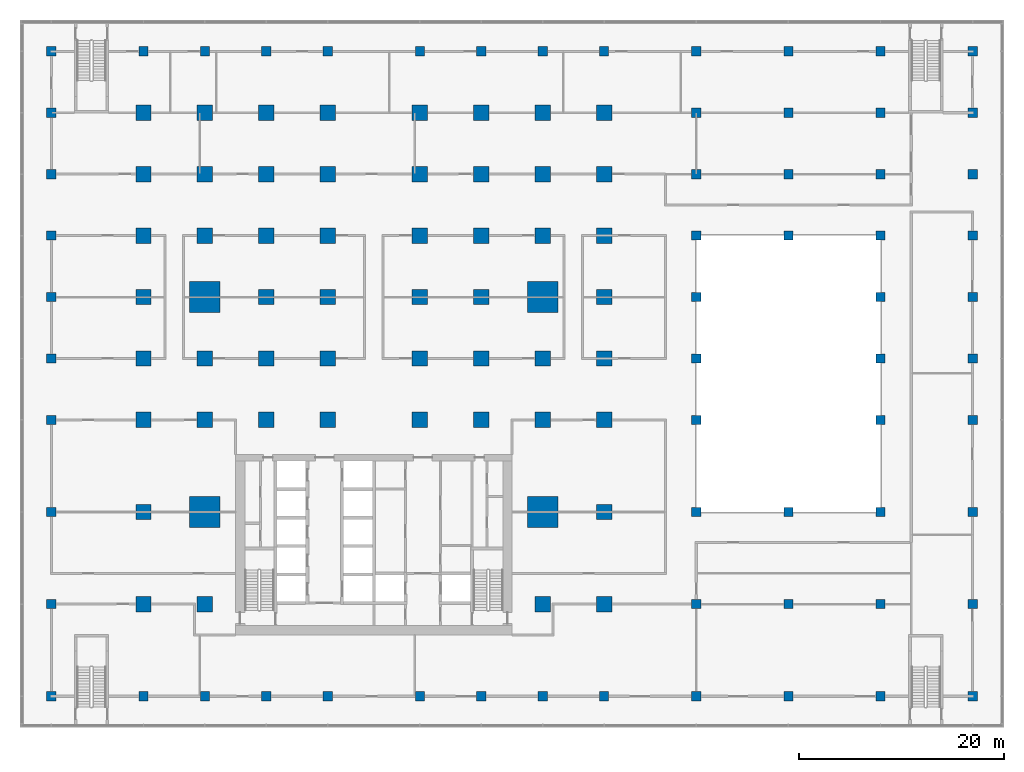
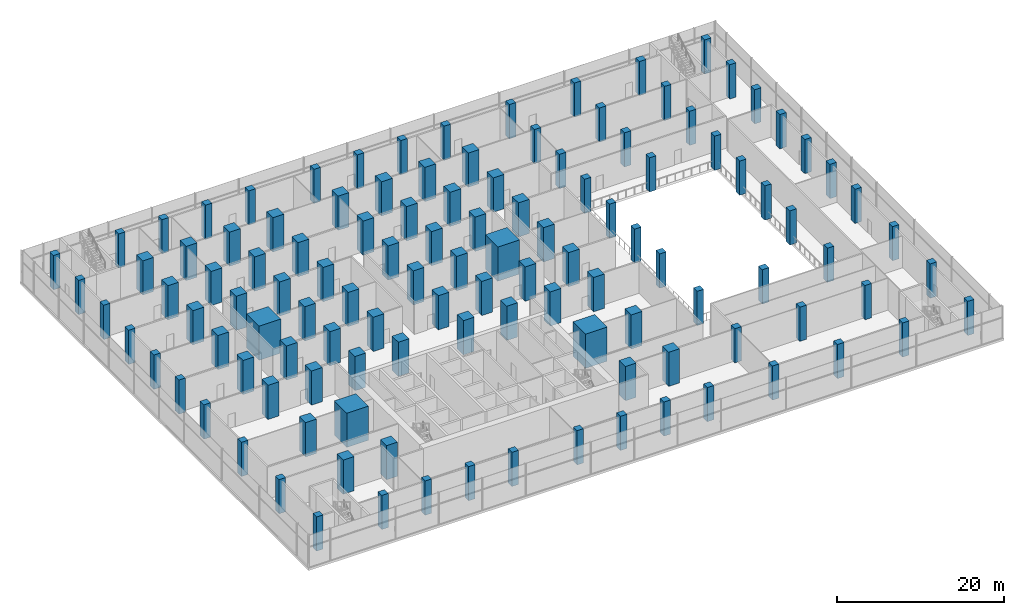
# One storey, part 1 of 22: 119 columns.
"""IFC4 building model written with IfcOpenShell, lengths in metres."""

from ifc_helpers import new_model, si_unit, direction, frame, origin, origin_2d, place, context, subcontext, project, spatial, rectangle, extrude, material, material_profile, profile_set, type_object, element, save


model = new_model("IFC4")

# Units and contexts
model_context = context("Model", 3, precision=1e-05, world=origin(), true_north=direction((0.0, 1.0)))
body_context = subcontext(model_context, "Body", "Model", "MODEL_VIEW")
ifc_project = project(units=[si_unit("LENGTHUNIT", "METRE"), si_unit("AREAUNIT", "SQUARE_METRE"), si_unit("VOLUMEUNIT", "CUBIC_METRE"), si_unit("PLANEANGLEUNIT", "RADIAN"), si_unit("MASSUNIT", "GRAM", prefix="KILO")], contexts=[model_context])

# Site, building, storey
site_placement = place(None, origin())
site = spatial("IfcSite", under=ifc_project, at=site_placement, CompositionType="ELEMENT")
building_placement = place(site_placement, origin())
building = spatial("IfcBuilding", under=site, at=building_placement, Name="Finial Court Residences", CompositionType="ELEMENT")
storey_placement = place(building_placement, frame((0.0, 0.0, 18.5)))
storey = spatial("IfcBuildingStorey", under=building, at=storey_placement, Name="L03", CompositionType="ELEMENT", Elevation=18.5)

# Columns
ifc_material_1 = material(Name="Concrete C80/95", Category="concrete")
ifc_material_profile_1 = material_profile(ifc_material_1, rectangle(XDim=1.5, YDim=1.5, at=origin_2d()), Name="1500x1500")
ifc_profile_set_1 = profile_set([ifc_material_profile_1], Name="Concrete C80/95")
column_type_1 = type_object("IfcColumnType", Name="Interior column 1500x1500 Concrete C80/95", PredefinedType="COLUMN", material=ifc_profile_set_1)
for number, where, z_axis, x_axis, name in (
    (1, (-22.5, -22.5, 0.0), (0.0, 0.0, 1.0), (1.0, 0.0, 0.0), "S:COL:L03:B2"),
    (2, (-22.5, -13.5, 0.0), (0.0, 0.0, 1.0), (1.0, 0.0, 0.0), "S:COL:L03:B3"),
    (3, (-22.5, -4.5, 0.0), (0.0, 0.0, 1.0), (1.0, 0.0, 0.0), "S:COL:L03:B4"),
    (4, (-22.5, 1.5, 0.0), (0.0, 0.0, 1.0), (1.0, 0.0, 0.0), "S:COL:L03:B5"),
    (5, (-22.5, 7.5, 0.0), (0.0, 0.0, 1.0), (1.0, 0.0, 0.0), "S:COL:L03:B6"),
    (6, (-22.5, 13.5, 0.0), (0.0, 0.0, 1.0), (1.0, 0.0, 0.0), "S:COL:L03:B7"),
    (7, (-22.5, 19.5, 0.0), (0.0, 0.0, 1.0), (1.0, 0.0, 0.0), "S:COL:L03:B8"),
    (8, (-22.5, 25.5, 0.0), (0.0, 0.0, 1.0), (1.0, 0.0, 0.0), "S:COL:L03:B9"),
    (9, (-16.5, -22.5, 0.0), (0.0, 0.0, 1.0), (1.0, 0.0, 0.0), "S:COL:L03:C2"),
    (10, (-16.5, -4.5, 0.0), (0.0, 0.0, 1.0), (1.0, 0.0, 0.0), "S:COL:L03:C4"),
    (11, (-16.5, 1.5, 0.0), (0.0, 0.0, 1.0), (1.0, 0.0, 0.0), "S:COL:L03:C5"),
    (12, (-16.5, 13.5, 0.0), (0.0, 0.0, 1.0), (1.0, 0.0, 0.0), "S:COL:L03:C7"),
    (13, (-16.5, 19.5, 0.0), (0.0, 0.0, 1.0), (1.0, 0.0, 0.0), "S:COL:L03:C8"),
    (14, (-16.5, 25.5, 0.0), (0.0, 0.0, 1.0), (1.0, 0.0, 0.0), "S:COL:L03:C9"),
    (15, (-10.5, -4.5, 0.0), (0.0, 0.0, 1.0), (1.0, 0.0, 0.0), "S:COL:L03:D4"),
    (16, (-10.5, 1.5, 0.0), (0.0, 0.0, 1.0), (1.0, 0.0, 0.0), "S:COL:L03:D5"),
    (17, (-10.5, 7.5, 0.0), (0.0, 0.0, 1.0), (1.0, 0.0, 0.0), "S:COL:L03:D6"),
    (18, (-10.5, 13.5, 0.0), (0.0, 0.0, 1.0), (1.0, 0.0, 0.0), "S:COL:L03:D7"),
    (19, (-10.5, 19.5, 0.0), (0.0, 0.0, 1.0), (1.0, 0.0, 0.0), "S:COL:L03:D8"),
    (20, (-10.5, 25.5, 0.0), (0.0, 0.0, 1.0), (1.0, 0.0, 0.0), "S:COL:L03:D9"),
    (21, (-4.5, -4.5, 0.0), (0.0, 0.0, 1.0), (1.0, 0.0, 0.0), "S:COL:L03:E4"),
    (22, (-4.5, 1.5, 0.0), (0.0, 0.0, 1.0), (1.0, 0.0, 0.0), "S:COL:L03:E5"),
    (23, (-4.5, 7.5, 0.0), (0.0, 0.0, 1.0), (1.0, 0.0, 0.0), "S:COL:L03:E6"),
    (24, (-4.5, 13.5, 0.0), (0.0, 0.0, 1.0), (1.0, 0.0, 0.0), "S:COL:L03:E7"),
    (25, (-4.5, 19.5, 0.0), (0.0, 0.0, 1.0), (1.0, 0.0, 0.0), "S:COL:L03:E8"),
    (26, (-4.5, 25.5, 0.0), (0.0, 0.0, 1.0), (1.0, 0.0, 0.0), "S:COL:L03:E9"),
    (27, (4.5, -4.5, 0.0), (0.0, 0.0, 1.0), (1.0, 0.0, 0.0), "S:COL:L03:F4"),
    (28, (4.5, 1.5, 0.0), (0.0, 0.0, 1.0), (1.0, 0.0, 0.0), "S:COL:L03:F5"),
    (29, (4.5, 7.5, 0.0), (0.0, 0.0, 1.0), (1.0, 0.0, 0.0), "S:COL:L03:F6"),
    (30, (4.5, 13.5, 0.0), (0.0, 0.0, 1.0), (1.0, 0.0, 0.0), "S:COL:L03:F7"),
    (31, (4.5, 19.5, 0.0), (0.0, 0.0, 1.0), (1.0, 0.0, 0.0), "S:COL:L03:F8"),
    (32, (4.5, 25.5, 0.0), (0.0, 0.0, 1.0), (1.0, 0.0, 0.0), "S:COL:L03:F9"),
    (33, (10.5, -4.5, 0.0), (0.0, 0.0, 1.0), (1.0, 0.0, 0.0), "S:COL:L03:G4"),
    (34, (10.5, 1.5, 0.0), (0.0, 0.0, 1.0), (1.0, 0.0, 0.0), "S:COL:L03:G5"),
    (35, (10.5, 7.5, 0.0), (0.0, 0.0, 1.0), (1.0, 0.0, 0.0), "S:COL:L03:G6"),
    (36, (10.5, 13.5, 0.0), (0.0, 0.0, 1.0), (1.0, 0.0, 0.0), "S:COL:L03:G7"),
    (37, (10.5, 19.5, 0.0), (0.0, 0.0, 1.0), (1.0, 0.0, 0.0), "S:COL:L03:G8"),
    (38, (10.5, 25.5, 0.0), (0.0, 0.0, 1.0), (1.0, 0.0, 0.0), "S:COL:L03:G9"),
    (39, (16.5, -22.5, 0.0), (0.0, 0.0, 1.0), (1.0, 0.0, 0.0), "S:COL:L03:H2"),
    (40, (16.5, -4.5, 0.0), (0.0, 0.0, 1.0), (1.0, 0.0, 0.0), "S:COL:L03:H4"),
    (41, (16.5, 1.5, 0.0), (0.0, 0.0, 1.0), (1.0, 0.0, 0.0), "S:COL:L03:H5"),
    (42, (16.5, 13.5, 0.0), (0.0, 0.0, 1.0), (1.0, 0.0, 0.0), "S:COL:L03:H7"),
    (43, (16.5, 19.5, 0.0), (0.0, 0.0, 1.0), (1.0, 0.0, 0.0), "S:COL:L03:H8"),
    (44, (16.5, 25.5, 0.0), (0.0, 0.0, 1.0), (1.0, 0.0, 0.0), "S:COL:L03:H9"),
    (45, (22.5, -22.5, 0.0), (0.0, 0.0, 1.0), (1.0, 0.0, 0.0), "S:COL:L03:I2"),
    (46, (22.5, -13.5, 0.0), (0.0, 0.0, 1.0), (1.0, 0.0, 0.0), "S:COL:L03:I3"),
    (47, (22.5, -4.5, 0.0), (0.0, 0.0, 1.0), (1.0, 0.0, 0.0), "S:COL:L03:I4"),
    (48, (22.5, 1.5, 0.0), (0.0, 0.0, 1.0), (1.0, 0.0, 0.0), "S:COL:L03:I5"),
    (49, (22.5, 7.5, 0.0), (0.0, 0.0, 1.0), (1.0, 0.0, 0.0), "S:COL:L03:I6"),
    (50, (22.5, 13.5, 0.0), (0.0, 0.0, 1.0), (1.0, 0.0, 0.0), "S:COL:L03:I7"),
    (51, (22.5, 19.5, 0.0), (0.0, 0.0, 1.0), (1.0, 0.0, 0.0), "S:COL:L03:I8"),
    (52, (22.5, 25.5, 0.0), (0.0, 0.0, 1.0), (1.0, 0.0, 0.0), "S:COL:L03:I9"),
):
    element("IfcColumn", number, at=place(storey_placement, frame(where, z_axis=z_axis, x_axis=x_axis)), inside=storey, type_object=column_type_1, Name=name, PredefinedType="COLUMN", context=body_context, shape_type="SweptSolid", body=[
        extrude(rectangle(XDim=1.5, YDim=1.5, at=origin_2d()), origin(), (0.0, 0.0, 1.0), 5.0),
    ])
ifc_material_profile_2 = material_profile(ifc_material_1, rectangle(XDim=3.0, YDim=3.0, at=origin_2d()), Name="3000x3000")
ifc_profile_set_2 = profile_set([ifc_material_profile_2], Name="Concrete C80/95")
column_type_2 = type_object("IfcColumnType", Name="Mega column 3000x3000 Concrete C80/95", PredefinedType="COLUMN", material=ifc_profile_set_2)
for number, where, z_axis, x_axis, name in (
    (53, (-16.5, -13.5, 0.0), (0.0, 0.0, 1.0), (1.0, 0.0, 0.0), "S:COL:L03:C3"),
    (54, (-16.5, 7.5, 0.0), (0.0, 0.0, 1.0), (1.0, 0.0, 0.0), "S:COL:L03:C6"),
    (55, (16.5, -13.5, 0.0), (0.0, 0.0, 1.0), (1.0, 0.0, 0.0), "S:COL:L03:H3"),
    (56, (16.5, 7.5, 0.0), (0.0, 0.0, 1.0), (1.0, 0.0, 0.0), "S:COL:L03:H6"),
):
    element("IfcColumn", number, at=place(storey_placement, frame(where, z_axis=z_axis, x_axis=x_axis)), inside=storey, type_object=column_type_2, Name=name, PredefinedType="COLUMN", context=body_context, shape_type="SweptSolid", body=[
        extrude(rectangle(XDim=3.0, YDim=3.0, at=origin_2d()), origin(), (0.0, 0.0, 1.0), 5.0),
    ])
ifc_material_2 = material(Name="Concrete C50/60", Category="concrete")
ifc_material_profile_3 = material_profile(ifc_material_2, rectangle(XDim=0.89990234375, YDim=0.89990234375, at=origin_2d()), Name="900x900")
ifc_profile_set_3 = profile_set([ifc_material_profile_3], Name="Concrete C50/60")
column_type_3 = type_object("IfcColumnType", Name="Podium column 900x900 Concrete C50/60", PredefinedType="COLUMN", material=ifc_profile_set_3)
for number, where, z_axis, x_axis, name in (
    (57, (-31.5, -31.5, 0.0), (0.0, 0.0, 1.0), (1.0, 0.0, 0.0), "S:COL:L03:A1"),
    (58, (-31.5, -22.5, 0.0), (0.0, 0.0, 1.0), (1.0, 0.0, 0.0), "S:COL:L03:A2"),
    (59, (-31.5, -13.5, 0.0), (0.0, 0.0, 1.0), (1.0, 0.0, 0.0), "S:COL:L03:A3"),
    (60, (-31.5, -4.5, 0.0), (0.0, 0.0, 1.0), (1.0, 0.0, 0.0), "S:COL:L03:A4"),
    (61, (-31.5, 1.5, 0.0), (0.0, 0.0, 1.0), (1.0, 0.0, 0.0), "S:COL:L03:A5"),
    (62, (-31.5, 7.5, 0.0), (0.0, 0.0, 1.0), (1.0, 0.0, 0.0), "S:COL:L03:A6"),
    (63, (-31.5, 13.5, 0.0), (0.0, 0.0, 1.0), (1.0, 0.0, 0.0), "S:COL:L03:A7"),
    (64, (-31.5, 19.5, 0.0), (0.0, 0.0, 1.0), (1.0, 0.0, 0.0), "S:COL:L03:A8"),
    (65, (-31.5, 25.5, 0.0), (0.0, 0.0, 1.0), (1.0, 0.0, 0.0), "S:COL:L03:A9"),
    (66, (-31.5, 31.5, 0.0), (0.0, 0.0, 1.0), (1.0, 0.0, 0.0), "S:COL:L03:A10"),
    (67, (-22.5, -31.5, 0.0), (0.0, 0.0, 1.0), (1.0, 0.0, 0.0), "S:COL:L03:B1"),
    (68, (-22.5, 31.5, 0.0), (0.0, 0.0, 1.0), (1.0, 0.0, 0.0), "S:COL:L03:B10"),
    (69, (-16.5, -31.5, 0.0), (0.0, 0.0, 1.0), (1.0, 0.0, 0.0), "S:COL:L03:C1"),
    (70, (-16.5, 31.5, 0.0), (0.0, 0.0, 1.0), (1.0, 0.0, 0.0), "S:COL:L03:C10"),
    (71, (-10.5, -31.5, 0.0), (0.0, 0.0, 1.0), (1.0, 0.0, 0.0), "S:COL:L03:D1"),
    (72, (-10.5, 31.5, 0.0), (0.0, 0.0, 1.0), (1.0, 0.0, 0.0), "S:COL:L03:D10"),
    (73, (-4.5, -31.5, 0.0), (0.0, 0.0, 1.0), (1.0, 0.0, 0.0), "S:COL:L03:E1"),
    (74, (-4.5, 31.5, 0.0), (0.0, 0.0, 1.0), (1.0, 0.0, 0.0), "S:COL:L03:E10"),
    (75, (4.5, -31.5, 0.0), (0.0, 0.0, 1.0), (1.0, 0.0, 0.0), "S:COL:L03:F1"),
    (76, (4.5, 31.5, 0.0), (0.0, 0.0, 1.0), (1.0, 0.0, 0.0), "S:COL:L03:F10"),
    (77, (10.5, -31.5, 0.0), (0.0, 0.0, 1.0), (1.0, 0.0, 0.0), "S:COL:L03:G1"),
    (78, (10.5, 31.5, 0.0), (0.0, 0.0, 1.0), (1.0, 0.0, 0.0), "S:COL:L03:G10"),
    (79, (16.5, -31.5, 0.0), (0.0, 0.0, 1.0), (1.0, 0.0, 0.0), "S:COL:L03:H1"),
    (80, (16.5, 31.5, 0.0), (0.0, 0.0, 1.0), (1.0, 0.0, 0.0), "S:COL:L03:H10"),
    (81, (22.5, -31.5, 0.0), (0.0, 0.0, 1.0), (1.0, 0.0, 0.0), "S:COL:L03:I1"),
    (82, (22.5, 31.5, 0.0), (0.0, 0.0, 1.0), (1.0, 0.0, 0.0), "S:COL:L03:I10"),
    (83, (31.5, -31.5, 0.0), (0.0, 0.0, 1.0), (1.0, 0.0, 0.0), "S:COL:L03:J1"),
    (84, (31.5, -22.5, 0.0), (0.0, 0.0, 1.0), (1.0, 0.0, 0.0), "S:COL:L03:J2"),
    (85, (31.5, -13.5, 0.0), (0.0, 0.0, 1.0), (1.0, 0.0, 0.0), "S:COL:L03:J3"),
    (86, (31.5, -4.5, 0.0), (0.0, 0.0, 1.0), (1.0, 0.0, 0.0), "S:COL:L03:J4"),
    (87, (31.5, 1.5, 0.0), (0.0, 0.0, 1.0), (1.0, 0.0, 0.0), "S:COL:L03:J5"),
    (88, (31.5, 7.5, 0.0), (0.0, 0.0, 1.0), (1.0, 0.0, 0.0), "S:COL:L03:J6"),
    (89, (31.5, 13.5, 0.0), (0.0, 0.0, 1.0), (1.0, 0.0, 0.0), "S:COL:L03:J7"),
    (90, (31.5, 19.5, 0.0), (0.0, 0.0, 1.0), (1.0, 0.0, 0.0), "S:COL:L03:J8"),
    (91, (31.5, 25.5, 0.0), (0.0, 0.0, 1.0), (1.0, 0.0, 0.0), "S:COL:L03:J9"),
    (92, (31.5, 31.5, 0.0), (0.0, 0.0, 1.0), (1.0, 0.0, 0.0), "S:COL:L03:J10"),
    (93, (40.5, -31.5, 0.0), (0.0, 0.0, 1.0), (1.0, 0.0, 0.0), "S:COL:L03:K1"),
    (94, (40.5, -22.5, 0.0), (0.0, 0.0, 1.0), (1.0, 0.0, 0.0), "S:COL:L03:K2"),
    (95, (40.5, -13.5, 0.0), (0.0, 0.0, 1.0), (1.0, 0.0, 0.0), "S:COL:L03:K3"),
    (96, (40.5, 13.5, 0.0), (0.0, 0.0, 1.0), (1.0, 0.0, 0.0), "S:COL:L03:K7"),
    (97, (40.5, 19.5, 0.0), (0.0, 0.0, 1.0), (1.0, 0.0, 0.0), "S:COL:L03:K8"),
    (98, (40.5, 25.5, 0.0), (0.0, 0.0, 1.0), (1.0, 0.0, 0.0), "S:COL:L03:K9"),
    (99, (40.5, 31.5, 0.0), (0.0, 0.0, 1.0), (1.0, 0.0, 0.0), "S:COL:L03:K10"),
    (100, (49.5, -31.5, 0.0), (0.0, 0.0, 1.0), (1.0, 0.0, 0.0), "S:COL:L03:L1"),
    (101, (49.5, -22.5, 0.0), (0.0, 0.0, 1.0), (1.0, 0.0, 0.0), "S:COL:L03:L2"),
    (102, (49.5, -13.5, 0.0), (0.0, 0.0, 1.0), (1.0, 0.0, 0.0), "S:COL:L03:L3"),
    (103, (49.5, -4.5, 0.0), (0.0, 0.0, 1.0), (1.0, 0.0, 0.0), "S:COL:L03:L4"),
    (104, (49.5, 1.5, 0.0), (0.0, 0.0, 1.0), (1.0, 0.0, 0.0), "S:COL:L03:L5"),
    (105, (49.5, 7.5, 0.0), (0.0, 0.0, 1.0), (1.0, 0.0, 0.0), "S:COL:L03:L6"),
    (106, (49.5, 13.5, 0.0), (0.0, 0.0, 1.0), (1.0, 0.0, 0.0), "S:COL:L03:L7"),
    (107, (49.5, 19.5, 0.0), (0.0, 0.0, 1.0), (1.0, 0.0, 0.0), "S:COL:L03:L8"),
    (108, (49.5, 25.5, 0.0), (0.0, 0.0, 1.0), (1.0, 0.0, 0.0), "S:COL:L03:L9"),
    (109, (49.5, 31.5, 0.0), (0.0, 0.0, 1.0), (1.0, 0.0, 0.0), "S:COL:L03:L10"),
    (110, (58.5, -31.5, 0.0), (0.0, 0.0, 1.0), (1.0, 0.0, 0.0), "S:COL:L03:M1"),
    (111, (58.5, -22.5, 0.0), (0.0, 0.0, 1.0), (1.0, 0.0, 0.0), "S:COL:L03:M2"),
    (112, (58.5, -13.5, 0.0), (0.0, 0.0, 1.0), (1.0, 0.0, 0.0), "S:COL:L03:M3"),
    (113, (58.5, -4.5, 0.0), (0.0, 0.0, 1.0), (1.0, 0.0, 0.0), "S:COL:L03:M4"),
    (114, (58.5, 1.5, 0.0), (0.0, 0.0, 1.0), (1.0, 0.0, 0.0), "S:COL:L03:M5"),
    (115, (58.5, 7.5, 0.0), (0.0, 0.0, 1.0), (1.0, 0.0, 0.0), "S:COL:L03:M6"),
    (116, (58.5, 13.5, 0.0), (0.0, 0.0, 1.0), (1.0, 0.0, 0.0), "S:COL:L03:M7"),
    (117, (58.5, 19.5, 0.0), (0.0, 0.0, 1.0), (1.0, 0.0, 0.0), "S:COL:L03:M8"),
    (118, (58.5, 25.5, 0.0), (0.0, 0.0, 1.0), (1.0, 0.0, 0.0), "S:COL:L03:M9"),
    (119, (58.5, 31.5, 0.0), (0.0, 0.0, 1.0), (1.0, 0.0, 0.0), "S:COL:L03:M10"),
):
    element("IfcColumn", number, at=place(storey_placement, frame(where, z_axis=z_axis, x_axis=x_axis)), inside=storey, type_object=column_type_3, Name=name, PredefinedType="COLUMN", context=body_context, shape_type="SweptSolid", body=[
        extrude(rectangle(XDim=0.89990234375, YDim=0.89990234375, at=origin_2d()), origin(), (0.0, 0.0, 1.0), 5.0),
    ])

save(model, "model.ifc")
